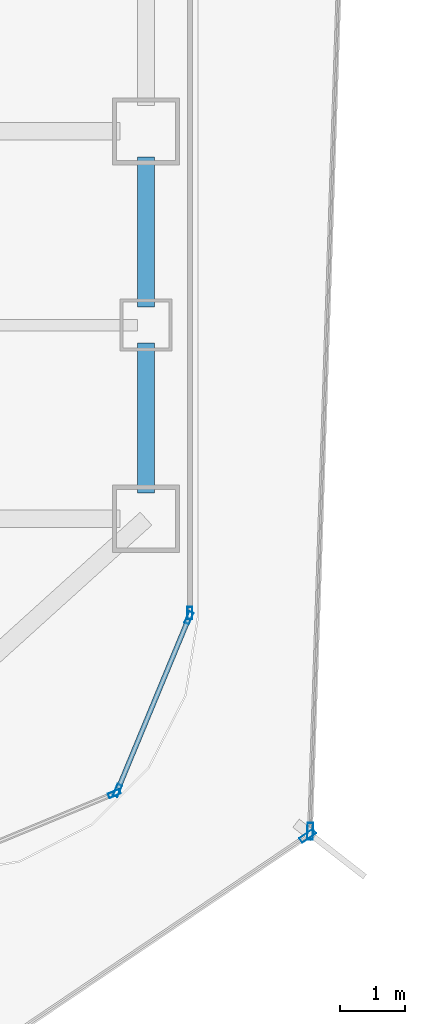
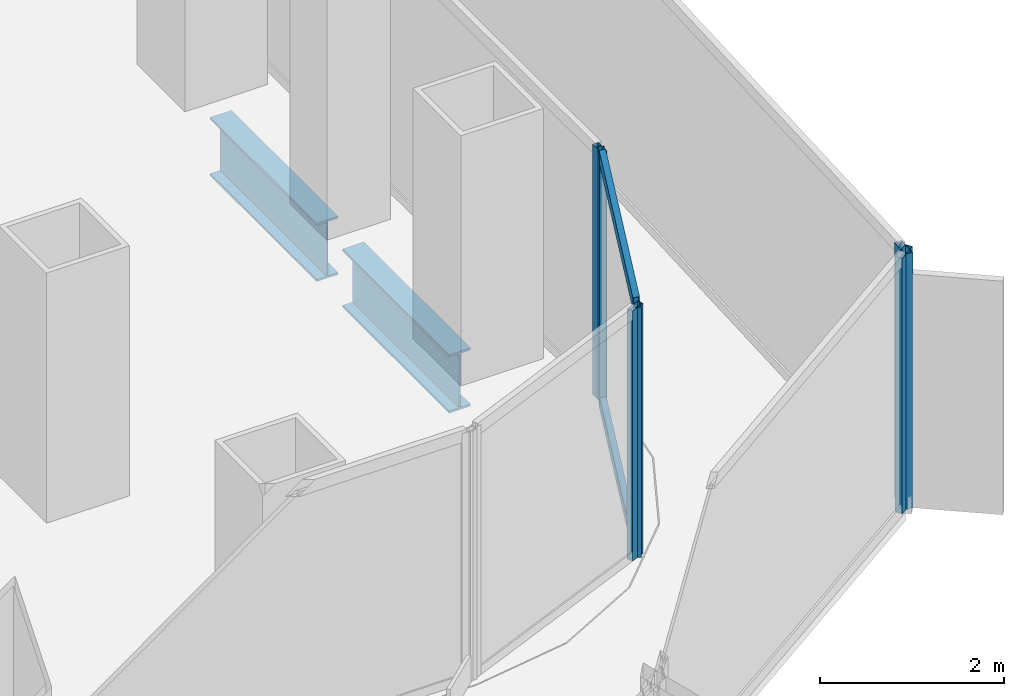
# One storey, part 8 of 21: 8 members, 2 beams, 5 elements without a shape of their own.
"""IFC4 building model written with IfcOpenShell, lengths in metres."""

from ifc_helpers import new_model, si_unit, direction, frame, origin, origin_2d, place, context, subcontext, project, spatial, hollow_rectangle, i_section, extrude, source, transform, mapped, material, layer, layer_set, material_profile, profile_set, type_object, element, aggregate, save


model = new_model("IFC4")

# Units and contexts
model_context = context("Model", 3, precision=1e-05, world=origin(), true_north=direction((0.0, 1.0)))
body_context = subcontext(model_context, "Body", "Model", "MODEL_VIEW")
ifc_project = project(units=[si_unit("LENGTHUNIT", "METRE"), si_unit("AREAUNIT", "SQUARE_METRE"), si_unit("VOLUMEUNIT", "CUBIC_METRE"), si_unit("PLANEANGLEUNIT", "RADIAN"), si_unit("MASSUNIT", "GRAM", prefix="KILO")], contexts=[model_context])

# Site, building, storey
site_placement = place(None, origin())
site = spatial("IfcSite", under=ifc_project, at=site_placement, CompositionType="ELEMENT")
building_placement = place(site_placement, origin())
building = spatial("IfcBuilding", under=site, at=building_placement, Name="Kolveth Station Tower", CompositionType="ELEMENT")
storey_placement = place(building_placement, frame((0.0, 0.0, 29.699951171875)))
storey = spatial("IfcBuildingStorey", under=building, at=storey_placement, Name="L07", CompositionType="ELEMENT", Elevation=29.699951171875)

# Beams
ifc_material_1 = material(Name="Steel S355", Category="steel")
ifc_material_profile_1 = material_profile(ifc_material_1, i_section(OverallWidth=0.26904296875, OverallDepth=0.77490234375, WebThickness=0.01708984375, FlangeThickness=0.0283203125, at=origin_2d()), Name="W760x220")
ifc_profile_set_1 = profile_set([ifc_material_profile_1], Name="Steel S355")
beam_type = type_object("IfcBeamType", Name="Beam_SP1", PredefinedType="SPANDREL", material=ifc_profile_set_1)
shared_shape_1 = source(origin(), body_context, "Body", "SweptSolid", [
    extrude(i_section(OverallWidth=0.26904296875, OverallDepth=0.77490234375, WebThickness=0.01708984375, FlangeThickness=0.0283203125, at=origin_2d()), origin(), (0.0, 0.0, 1.0), 2.320068359375),
])
for number, where, z_axis, x_axis, name in (
    (1, (46.199951171875, 5.89990234375, -0.66748046875), (0.0, 1.0, 0.0), (-1.0, 0.0, 0.0), "L07 Perimeter Spandrel BM-L07-PE-1"),
    (2, (46.199951171875, 8.780029296875, -0.66748046875), (0.0, 1.0, 0.0), (-1.0, 0.0, 0.0), "L07 Perimeter Spandrel BM-L07-PE-2"),
):
    element("IfcBeam", number, at=place(storey_placement, frame(where, z_axis=z_axis, x_axis=x_axis)), inside=storey, type_object=beam_type, Name=name, PredefinedType="SPANDREL", context=body_context, shape_type="MappedRepresentation", body=[
        mapped(shared_shape_1, transform((0.0, 0.0, 0.0), x_axis=(1.0, 0.0, 0.0), y_axis=(0.0, 1.0, 0.0), z_axis=(0.0, 0.0, 1.0), scale=1.0)),
    ])

# Curtain wall, member
ifc_material_2 = material(Name="Aluminium 6063-T6 and low-E dark glass", Category="aluminium")
ifc_layer_1 = layer(ifc_material_2, 0.179931640625)
ifc_layer_set_1 = layer_set([ifc_layer_1], Name="Aluminium 6063-T6 and low-E dark glass")
curtain_wall_type_1 = type_object("IfcCurtainWallType", Name="CurtainWall_CW-Z1", PredefinedType="NOTDEFINED", material=ifc_layer_set_1)
curtain_wall_1_placement = place(storey_placement, origin())
curtain_wall_1 = element("IfcCurtainWall", 3, at=curtain_wall_1_placement, inside=storey, type_object=curtain_wall_type_1, Name="L07 Inner Thermal Curtain Wall 1", PredefinedType="NOTDEFINED")
ifc_material_3 = material(Name="Black anodized aluminium 6063-T6", Category="aluminium")
ifc_material_profile_2 = material_profile(ifc_material_3, hollow_rectangle(XDim=0.074951171875, YDim=0.18994140625, WallThickness=0.0048828125, at=origin_2d()), Name="ALU-75x190x5")
ifc_profile_set_2 = profile_set([ifc_material_profile_2], Name="Black anodized aluminium 6063-T6")
member_type_1 = type_object("IfcMemberType", Name="Mullion_ML1", PredefinedType="MULLION", material=ifc_profile_set_2)
shared_shape_2 = source(origin(), body_context, "Body", "SweptSolid", [
    extrude(hollow_rectangle(XDim=0.074951171875, YDim=0.18994140625, WallThickness=0.0048828125, at=origin_2d()), origin(), (0.0, 0.0, 1.0), 3.320068359375),
])
member_1_placement = place(storey_placement, frame((45.708984375, 1.241943359375, 0.0), z_axis=(0.0, 0.0, 1.0), x_axis=(-0.382672990201, 0.923883857728, 0.0)))
member_1 = element("IfcMember", 4, at=member_1_placement, type_object=member_type_1, Name="CW-Z1 mullion 2", PredefinedType="MULLION", context=body_context, shape_type="MappedRepresentation", body=[
    mapped(shared_shape_2, transform((0.0, 0.0, 0.0), x_axis=(1.0, 0.0, 0.0), y_axis=(0.0, 1.0, 0.0), z_axis=(0.0, 0.0, 1.0), scale=1.0)),
])
aggregate(curtain_wall_1, [member_1])

# Curtain wall, members
curtain_wall_2_placement = place(storey_placement, origin())
curtain_wall_2 = element("IfcCurtainWall", 5, at=curtain_wall_2_placement, inside=storey, type_object=curtain_wall_type_1, Name="L07 Inner Thermal Curtain Wall 2", PredefinedType="NOTDEFINED")
member_2_placement = place(storey_placement, frame((45.758056640625, 1.291015625, 0.0), z_axis=(0.0, 0.0, 1.0), x_axis=(-0.923883857728, 0.382672990201, 0.0)))
member_2 = element("IfcMember", 6, at=member_2_placement, type_object=member_type_1, Name="CW-Z1 mullion 1", PredefinedType="MULLION", context=body_context, shape_type="MappedRepresentation", body=[
    mapped(shared_shape_2, transform((0.0, 0.0, 0.0), x_axis=(1.0, 0.0, 0.0), y_axis=(0.0, 1.0, 0.0), z_axis=(0.0, 0.0, 1.0), scale=1.0)),
])
member_3_placement = place(storey_placement, frame((46.86572265625, 3.96533203125, 0.0), z_axis=(0.0, 0.0, 1.0), x_axis=(-0.923883857728, 0.382672990201, 0.0)))
member_3 = element("IfcMember", 7, at=member_3_placement, type_object=member_type_1, Name="CW-Z1 mullion 2", PredefinedType="MULLION", context=body_context, shape_type="MappedRepresentation", body=[
    mapped(shared_shape_2, transform((0.0, 0.0, 0.0), x_axis=(1.0, 0.0, 0.0), y_axis=(0.0, 1.0, 0.0), z_axis=(0.0, 0.0, 1.0), scale=1.0)),
])

# Curtain wall, member
curtain_wall_3_placement = place(storey_placement, origin())
curtain_wall_3 = element("IfcCurtainWall", 8, at=curtain_wall_3_placement, inside=storey, type_object=curtain_wall_type_1, Name="L07 Inner Thermal Curtain Wall 3", PredefinedType="NOTDEFINED")
member_4_placement = place(storey_placement, frame((46.8798828125, 4.03759765625, 0.0), z_axis=(0.0, 0.0, 1.0), x_axis=(-1.0, 0.0, 0.0)))
member_4 = element("IfcMember", 9, at=member_4_placement, type_object=member_type_1, Name="CW-Z1 mullion 1", PredefinedType="MULLION", context=body_context, shape_type="MappedRepresentation", body=[
    mapped(shared_shape_2, transform((0.0, 0.0, 0.0), x_axis=(1.0, 0.0, 0.0), y_axis=(0.0, 1.0, 0.0), z_axis=(0.0, 0.0, 1.0), scale=1.0)),
])
aggregate(curtain_wall_3, [member_4])

# Member
ifc_material_profile_3 = material_profile(ifc_material_3, hollow_rectangle(XDim=0.074951171875, YDim=0.159912109375, WallThickness=0.0048828125, at=origin_2d()), Name="ALU-75x160x5")
ifc_profile_set_3 = profile_set([ifc_material_profile_3], Name="Black anodized aluminium 6063-T6")
member_type_2 = type_object("IfcMemberType", Name="Transom_TR1", PredefinedType="USERDEFINED", material=ifc_profile_set_3)
shared_shape_3 = source(origin(), body_context, "Body", "SweptSolid", [
    extrude(hollow_rectangle(XDim=0.074951171875, YDim=0.159912109375, WallThickness=0.0048828125, at=origin_2d()), origin(), (0.0, 0.0, 1.0), 2.819580078125),
])
member_5_placement = place(storey_placement, frame((45.772216796875, 1.32568359375, 0.03759765625), z_axis=(0.382708655389, 0.923869084389, 0.0), x_axis=(-0.923869084389, 0.382708655389, 0.0)))
member_5 = element("IfcMember", 10, at=member_5_placement, type_object=member_type_2, Name="CW-Z1 transom 1.1", ObjectType="TRANSOM", PredefinedType="USERDEFINED", context=body_context, shape_type="MappedRepresentation", body=[
    mapped(shared_shape_3, transform((0.0, 0.0, 0.0), x_axis=(1.0, 0.0, 0.0), y_axis=(0.0, 1.0, 0.0), z_axis=(0.0, 0.0, 1.0), scale=1.0)),
])

member_6_placement = place(storey_placement, frame((45.772216796875, 1.32568359375, 3.282470703125), z_axis=(0.382708655389, 0.923869084389, 0.0), x_axis=(-0.923869084389, 0.382708655389, 0.0)))
member_6 = element("IfcMember", 11, at=member_6_placement, type_object=member_type_2, Name="CW-Z1 transom 1.2", ObjectType="TRANSOM", PredefinedType="USERDEFINED", context=body_context, shape_type="MappedRepresentation", body=[
    mapped(shared_shape_3, transform((0.0, 0.0, 0.0), x_axis=(1.0, 0.0, 0.0), y_axis=(0.0, 1.0, 0.0), z_axis=(0.0, 0.0, 1.0), scale=1.0)),
])

aggregate(curtain_wall_2, [member_2, member_3, member_5, member_6])

# Curtain wall, member
ifc_material_4 = material(Name="Black anodized aluminium 6063-T6 and dark solar glass", Category="aluminium")
ifc_layer_2 = layer(ifc_material_4, 0.159912109375)
ifc_layer_set_2 = layer_set([ifc_layer_2], Name="Black anodized aluminium 6063-T6 and dark solar glass")
curtain_wall_type_2 = type_object("IfcCurtainWallType", Name="OUTER SKIN CW-OS", PredefinedType="NOTDEFINED", material=ifc_layer_set_2)
curtain_wall_4_placement = place(storey_placement, origin())
curtain_wall_4 = element("IfcCurtainWall", 12, at=curtain_wall_4_placement, inside=storey, type_object=curtain_wall_type_2, Name="L07 Outer Ventilated Skin Curtain Wall 1", PredefinedType="NOTDEFINED")
ifc_material_profile_4 = material_profile(ifc_material_3, hollow_rectangle(XDim=0.090087890625, YDim=0.260009765625, WallThickness=0.0048828125, at=origin_2d()), Name="ALU-90x260x5")
ifc_profile_set_4 = profile_set([ifc_material_profile_4], Name="Black anodized aluminium 6063-T6")
member_type_3 = type_object("IfcMemberType", Name="FIN MULLION ML-OS", PredefinedType="MULLION", material=ifc_profile_set_4)
shared_shape_4 = source(origin(), body_context, "Body", "SweptSolid", [
    extrude(hollow_rectangle(XDim=0.090087890625, YDim=0.260009765625, WallThickness=0.0048828125, at=origin_2d()), origin(), (0.0, 0.0, 1.0), 3.39013671875),
])
member_7_placement = place(storey_placement, frame((48.7041015625, 0.5888671875, 0.0), z_axis=(0.0, 0.0, 1.0), x_axis=(-0.560155137852, 0.828387724159, 0.0)))
member_7 = element("IfcMember", 13, at=member_7_placement, type_object=member_type_3, Name="CW-OS mullion 2", PredefinedType="MULLION", context=body_context, shape_type="MappedRepresentation", body=[
    mapped(shared_shape_4, transform((0.0, 0.0, 0.0), x_axis=(1.0, 0.0, 0.0), y_axis=(0.0, 1.0, 0.0), z_axis=(0.0, 0.0, 1.0), scale=1.0)),
])
aggregate(curtain_wall_4, [member_7])

curtain_wall_5_placement = place(storey_placement, origin())
curtain_wall_5 = element("IfcCurtainWall", 14, at=curtain_wall_5_placement, inside=storey, type_object=curtain_wall_type_2, Name="L07 Outer Ventilated Skin Curtain Wall 2", PredefinedType="NOTDEFINED")
member_8_placement = place(storey_placement, frame((48.742919921875, 0.658935546875, 0.0), z_axis=(0.0, 0.0, 1.0), x_axis=(-0.999426087103, 0.033874716513, 0.0)))
member_8 = element("IfcMember", 15, at=member_8_placement, type_object=member_type_3, Name="CW-OS mullion 1", PredefinedType="MULLION", context=body_context, shape_type="MappedRepresentation", body=[
    mapped(shared_shape_4, transform((0.0, 0.0, 0.0), x_axis=(1.0, 0.0, 0.0), y_axis=(0.0, 1.0, 0.0), z_axis=(0.0, 0.0, 1.0), scale=1.0)),
])
aggregate(curtain_wall_5, [member_8])

save(model, "model.ifc")
